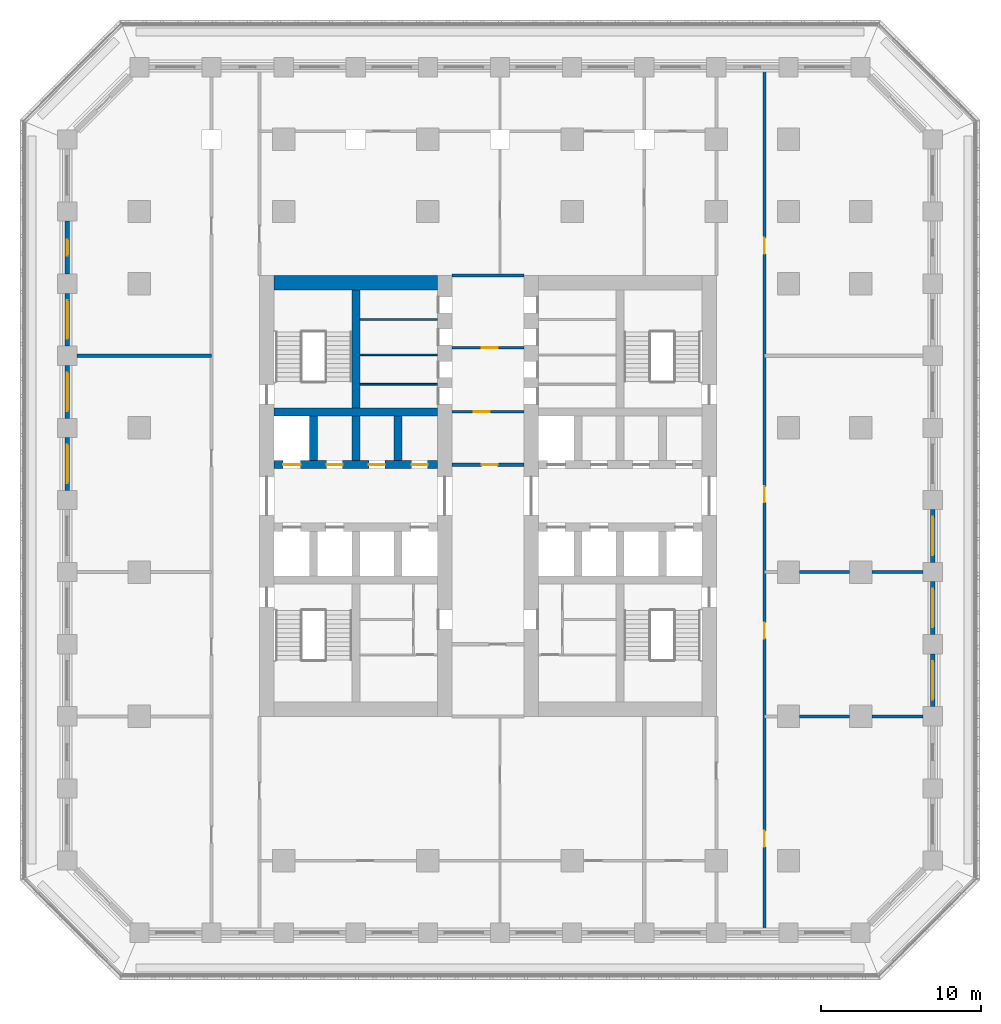
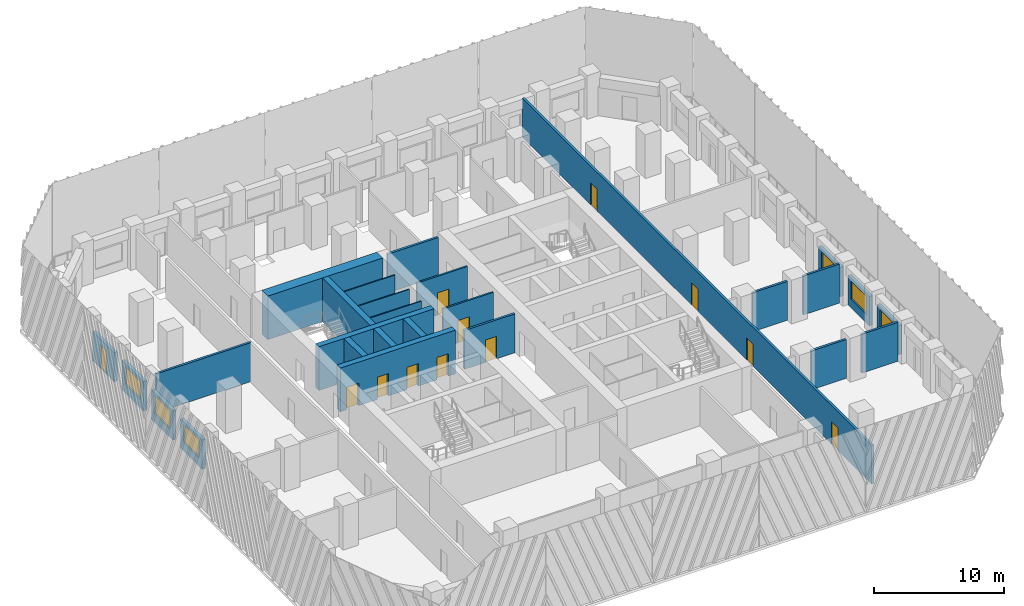
# One storey, part 6 of 19: 27 walls, 12 doors, 6 windows, 18 openings.
"""IFC4 building model written with IfcOpenShell, lengths in metres."""

from ifc_helpers import new_model, si_unit, direction, frame, frame_2d, origin, place, context, subcontext, project, spatial, rectangle, extrude, material, layer, layer_set, type_object, element, fill, save


model = new_model("IFC4")

# Units and contexts
model_context = context("Model", 3, precision=1e-05, world=origin(), true_north=direction((0.0, 1.0)))
body_context = subcontext(model_context, "Body", "Model", "MODEL_VIEW")
ifc_project = project(units=[si_unit("LENGTHUNIT", "METRE"), si_unit("AREAUNIT", "SQUARE_METRE"), si_unit("VOLUMEUNIT", "CUBIC_METRE"), si_unit("PLANEANGLEUNIT", "RADIAN"), si_unit("MASSUNIT", "GRAM", prefix="KILO")], contexts=[model_context])

# Site, building, storey
site_placement = place(None, origin())
site = spatial("IfcSite", under=ifc_project, at=site_placement, CompositionType="ELEMENT")
building_placement = place(site_placement, origin())
building = spatial("IfcBuilding", under=site, at=building_placement, Name="Corbel Stack Research Tower", CompositionType="ELEMENT")
storey_placement = place(building_placement, frame((0.0, 0.0, 82.0)))
storey = spatial("IfcBuildingStorey", under=building, at=storey_placement, Name="L18", CompositionType="ELEMENT", Elevation=82.0)

# Wall, openings, doors
ifc_material_1 = material(Name="Concrete C70/85", Category="concrete")
ifc_layer_1 = layer(ifc_material_1, 0.5)
ifc_layer_set_1 = layer_set([ifc_layer_1], Name="Concrete C70/85")
wall_type_1 = type_object("IfcWallType", Name="CW-500-70", PredefinedType="SHEAR", material=ifc_layer_set_1)
wall_1_placement = place(storey_placement, frame((-9.60009765625, 6.699951171875, 0.0), z_axis=(0.0, 0.0, 1.0), x_axis=(1.0, 0.0, 0.0)))
wall_1 = element("IfcWall", 1, at=wall_1_placement, inside=storey, type_object=wall_type_1, Name="West core wall, lobby north L18", PredefinedType="SHEAR", context=body_context, shape_type="SweptSolid", body=[
    extrude(rectangle(XDim=10.2001953125, YDim=0.5, at=frame_2d((5.10009765625, 0.0))), origin(), (0.0, 0.0, 1.0), 4.10009765625),
])
opening_1_placement = place(wall_1_placement, frame((0.5625, 0.0, 0.0)))
opening_1 = element("IfcOpeningElement", 2, at=opening_1_placement, cuts=wall_1, Name="Opening LD-LR2", PredefinedType="OPENING", context=body_context, shape_type="SweptSolid", body=[
    extrude(rectangle(XDim=1.10009765625, YDim=2.10009765625, at=frame_2d((0.550048828125, 1.050048828125))), frame((0.0, 0.260009765625, 0.0), z_axis=(0.0, -1.0, 0.0), x_axis=(1.0, 0.0, 0.0)), (0.0, 0.0, 1.0), 0.52001953125),
])
opening_2_placement = place(wall_1_placement, frame((3.28759765625, 0.0, 0.0)))
opening_2 = element("IfcOpeningElement", 3, at=opening_2_placement, cuts=wall_1, Name="Opening CR-W66-N2", PredefinedType="OPENING", context=body_context, shape_type="SweptSolid", body=[
    extrude(rectangle(XDim=1.0, YDim=2.10009765625, at=frame_2d((0.5, 1.050048828125))), frame((0.0, 0.260009765625, 0.0), z_axis=(0.0, -1.0, 0.0), x_axis=(1.0, 0.0, 0.0)), (0.0, 0.0, 1.0), 0.52001953125),
])
opening_3_placement = place(wall_1_placement, frame((5.91259765625, 0.0, 0.0)))
opening_3 = element("IfcOpeningElement", 4, at=opening_3_placement, cuts=wall_1, Name="Opening CR-W66-N3", PredefinedType="OPENING", context=body_context, shape_type="SweptSolid", body=[
    extrude(rectangle(XDim=1.0, YDim=2.10009765625, at=frame_2d((0.5, 1.050048828125))), frame((0.0, 0.260009765625, 0.0), z_axis=(0.0, -1.0, 0.0), x_axis=(1.0, 0.0, 0.0)), (0.0, 0.0, 1.0), 0.52001953125),
])
opening_4_placement = place(wall_1_placement, frame((8.58740234375, 0.0, 0.0)))
opening_4 = element("IfcOpeningElement", 5, at=opening_4_placement, cuts=wall_1, Name="Opening CR-W66-N4", PredefinedType="OPENING", context=body_context, shape_type="SweptSolid", body=[
    extrude(rectangle(XDim=1.0, YDim=2.10009765625, at=frame_2d((0.5, 1.050048828125))), frame((0.0, 0.260009765625, 0.0), z_axis=(0.0, -1.0, 0.0), x_axis=(1.0, 0.0, 0.0)), (0.0, 0.0, 1.0), 0.52001953125),
])
ifc_material_2 = material(Name="Stainless steel landing door", Category="steel")
door_type_1 = type_object("IfcDoorType", Name="Lift landing door 1100 x 2100", OperationType="DOUBLE_DOOR_SLIDING", PredefinedType="DOOR", material=ifc_material_2)
door_1_placement = place(opening_1_placement, origin())
door_1 = element("IfcDoor", 6, at=door_1_placement, inside=storey, type_object=door_type_1, Name="Landing door LR2", OperationType="DOUBLE_DOOR_SLIDING", OverallHeight=2.10009765625, OverallWidth=1.10009765625, PredefinedType="DOOR", context=body_context, shape_type="SweptSolid", body=[
    extrude(rectangle(XDim=1.10009765625, YDim=2.10009765625, at=frame_2d((0.550048828125, 1.050048828125))), frame((0.0, 0.02490234375, 0.0), z_axis=(0.0, -1.0, 0.0), x_axis=(1.0, 0.0, 0.0)), (0.0, 0.0, 1.0), 0.050048828125),
])
fill(opening_1, door_1)
ifc_material_3 = material(Name="Painted steel door", Category="steel")
door_type_2 = type_object("IfcDoorType", Name="Service door 1000 x 2100 FD60 left hand", OperationType="SINGLE_SWING_LEFT", PredefinedType="DOOR", material=ifc_material_3)
door_2_placement = place(opening_3_placement, origin())
door_2 = element("IfcDoor", 7, at=door_2_placement, inside=storey, type_object=door_type_2, Name="Records store door W core", OperationType="SINGLE_SWING_LEFT", OverallHeight=2.10009765625, OverallWidth=1.0, PredefinedType="DOOR", context=body_context, shape_type="SweptSolid", body=[
    extrude(rectangle(XDim=1.0, YDim=2.10009765625, at=frame_2d((0.5, 1.050048828125))), frame((0.0, 0.02490234375, 0.0), z_axis=(0.0, -1.0, 0.0), x_axis=(1.0, 0.0, 0.0)), (0.0, 0.0, 1.0), 0.050048828125),
])
fill(opening_3, door_2)
ifc_material_4 = material(Name="Painted steel door", Category="steel")
door_type_3 = type_object("IfcDoorType", Name="Service door 1000 x 2100 FD60 right hand", OperationType="SINGLE_SWING_RIGHT", PredefinedType="DOOR", material=ifc_material_4)
door_3_placement = place(opening_2_placement, origin())
door_3 = element("IfcDoor", 8, at=door_3_placement, inside=storey, type_object=door_type_3, Name="Copy and supply store door W core", OperationType="SINGLE_SWING_RIGHT", OverallHeight=2.10009765625, OverallWidth=1.0, PredefinedType="DOOR", context=body_context, shape_type="SweptSolid", body=[
    extrude(rectangle(XDim=1.0, YDim=2.10009765625, at=frame_2d((0.5, 1.050048828125))), frame((0.0, 0.02490234375, 0.0), z_axis=(0.0, -1.0, 0.0), x_axis=(1.0, 0.0, 0.0)), (0.0, 0.0, 1.0), 0.050048828125),
])
fill(opening_2, door_3)
door_4_placement = place(opening_4_placement, origin())
door_4 = element("IfcDoor", 9, at=door_4_placement, inside=storey, type_object=door_type_3, Name="Electrical room door W core", OperationType="SINGLE_SWING_RIGHT", OverallHeight=2.10009765625, OverallWidth=1.0, PredefinedType="DOOR", context=body_context, shape_type="SweptSolid", body=[
    extrude(rectangle(XDim=1.0, YDim=2.10009765625, at=frame_2d((0.5, 1.050048828125))), frame((0.0, 0.02490234375, 0.0), z_axis=(0.0, -1.0, 0.0), x_axis=(1.0, 0.0, 0.0)), (0.0, 0.0, 1.0), 0.050048828125),
])
fill(opening_4, door_4)

# Walls
wall_2_placement = place(storey_placement, frame((-9.60009765625, 10.0, 0.0), z_axis=(0.0, 0.0, 1.0), x_axis=(1.0, 0.0, 0.0)))
element("IfcWall", 10, at=wall_2_placement, inside=storey, type_object=wall_type_1, Name="West core wall, north row back L18", PredefinedType="SHEAR", context=body_context, shape_type="SweptSolid", body=[
    extrude(rectangle(XDim=10.2001953125, YDim=0.5, at=frame_2d((5.10009765625, 0.0))), origin(), (0.0, 0.0, 1.0), 4.10009765625),
])
for number, where, z_axis, x_axis, name in (
    (11, (-7.125, 6.949951171875, 0.0), (0.0, 0.0, 1.0), (0.0, 1.0, 0.0), "West core wall, north shaft 1 L18"),
    (12, (-4.5, 6.949951171875, 0.0), (0.0, 0.0, 1.0), (0.0, 1.0, 0.0), "West core wall, north shaft 2 L18"),
    (13, (-1.875, 6.949951171875, 0.0), (0.0, 0.0, 1.0), (0.0, 1.0, 0.0), "West core wall, north shaft 3 L18"),
):
    element("IfcWall", number, at=place(storey_placement, frame(where, z_axis=z_axis, x_axis=x_axis)), inside=storey, type_object=wall_type_1, Name=name, PredefinedType="SHEAR", context=body_context, shape_type="SweptSolid", body=[
        extrude(rectangle(XDim=2.800048828125, YDim=0.5, at=frame_2d((1.39990234375, 0.0))), origin(), (0.0, 0.0, 1.0), 4.10009765625),
    ])
wall_3_placement = place(storey_placement, frame((-4.5, 10.25, 0.0), z_axis=(0.0, 0.0, 1.0), x_axis=(0.0, 1.0, 0.0)))
element("IfcWall", 14, at=wall_3_placement, inside=storey, type_object=wall_type_1, Name="West core wall, north stair and riser L18", PredefinedType="SHEAR", context=body_context, shape_type="SweptSolid", body=[
    extrude(rectangle(XDim=7.35009765625, YDim=0.5, at=frame_2d((3.675048828125, 0.0))), origin(), (0.0, 0.0, 1.0), 4.10009765625),
])
ifc_material_5 = material(Name="Concrete C70/85", Category="concrete")
ifc_layer_2 = layer(ifc_material_5, 0.89990234375)
ifc_layer_set_2 = layer_set([ifc_layer_2], Name="Concrete C70/85")
wall_type_2 = type_object("IfcWallType", Name="CW-900-70", PredefinedType="SHEAR", material=ifc_layer_set_2)
wall_4_placement = place(storey_placement, frame((-9.60009765625, 18.050048828125, 0.0), z_axis=(0.0, 0.0, 1.0), x_axis=(1.0, 0.0, 0.0)))
element("IfcWall", 15, at=wall_4_placement, inside=storey, type_object=wall_type_2, Name="West core wall, north end L18", PredefinedType="SHEAR", context=body_context, shape_type="SweptSolid", body=[
    extrude(rectangle(XDim=10.2001953125, YDim=0.89990234375, at=frame_2d((5.10009765625, 0.0))), origin(), (0.0, 0.0, 1.0), 4.10009765625),
])
ifc_material_6 = material(Name="Gypsum board")
ifc_layer_3 = layer(ifc_material_6, 0.10009765625)
ifc_layer_set_3 = layer_set([ifc_layer_3], Name="Gypsum board")
wall_type_3 = type_object("IfcWallType", Name="Core partition 100", PredefinedType="PARTITIONING", material=ifc_layer_set_3)
for number, where, z_axis, x_axis, name in (
    (16, (-4.25, 11.719970703125, 0.0), (0.0, 0.0, 1.0), (1.0, 0.0, 0.0), "Core partition W"),
    (17, (-4.25, 13.5576171875, 0.0), (0.0, 0.0, 1.0), (1.0, 0.0, 0.0), "Core partition W"),
    (18, (-4.25, 15.762451171875, 0.0), (0.0, 0.0, 1.0), (1.0, 0.0, 0.0), "Core partition W"),
):
    element("IfcWall", number, at=place(storey_placement, frame(where, z_axis=z_axis, x_axis=x_axis)), inside=storey, type_object=wall_type_3, Name=name, PredefinedType="PARTITIONING", context=body_context, shape_type="SweptSolid", body=[
        extrude(rectangle(XDim=4.85009765625, YDim=0.10009765625, at=frame_2d((2.425048828125, 0.0))), origin(), (0.0, 0.0, 1.0), 3.64990234375),
    ])

# Wall, openings, doors
ifc_material_7 = material(Name="Fire-rated gypsum board partition on steel studs", Category="steel")
ifc_layer_4 = layer(ifc_material_7, 0.199951171875)
ifc_layer_set_4 = layer_set([ifc_layer_4], Name="Fire-rated gypsum board partition on steel studs")
wall_type_4 = type_object("IfcWallType", Name="Fire-rated partition 200 EI 60", PredefinedType="PARTITIONING", material=ifc_layer_set_4)
wall_5_placement = place(storey_placement, frame((21.0, 31.35009765625, 0.0), z_axis=(0.0, 0.0, 1.0), x_axis=(0.0, -1.0, 0.0)))
wall_5 = element("IfcWall", 19, at=wall_5_placement, inside=storey, type_object=wall_type_4, Name="Partition L18-016", PredefinedType="PARTITIONING", context=body_context, shape_type="SweptSolid", body=[
    extrude(rectangle(XDim=53.7001953125, YDim=0.199951171875, at=frame_2d((26.85009765625, 0.0))), origin(), (0.0, 0.0, 1.0), 3.64990234375),
])
opening_5_placement = place(wall_5_placement, frame((47.5, 0.0, 0.0)))
opening_5 = element("IfcOpeningElement", 20, at=opening_5_placement, cuts=wall_5, Name="Opening B3V0H-018", PredefinedType="OPENING", context=body_context, shape_type="SweptSolid", body=[
    extrude(rectangle(XDim=1.0, YDim=2.10009765625, at=frame_2d((0.5, 1.050048828125))), frame((0.0, 0.10986328125, 0.0), z_axis=(0.0, -1.0, 0.0), x_axis=(1.0, 0.0, 0.0)), (0.0, 0.0, 1.0), 0.219970703125),
])
opening_6_placement = place(wall_5_placement, frame((34.5, 0.0, 0.0)))
opening_6 = element("IfcOpeningElement", 21, at=opening_6_placement, cuts=wall_5, Name="Opening B3V0H-019", PredefinedType="OPENING", context=body_context, shape_type="SweptSolid", body=[
    extrude(rectangle(XDim=1.0, YDim=2.10009765625, at=frame_2d((0.5, 1.050048828125))), frame((0.0, 0.10986328125, 0.0), z_axis=(0.0, -1.0, 0.0), x_axis=(1.0, 0.0, 0.0)), (0.0, 0.0, 1.0), 0.219970703125),
])
opening_7_placement = place(wall_5_placement, frame((26.0, 0.0, 0.0)))
opening_7 = element("IfcOpeningElement", 22, at=opening_7_placement, cuts=wall_5, Name="Opening B3V0H-020", PredefinedType="OPENING", context=body_context, shape_type="SweptSolid", body=[
    extrude(rectangle(XDim=1.0, YDim=2.10009765625, at=frame_2d((0.5, 1.050048828125))), frame((0.0, 0.10986328125, 0.0), z_axis=(0.0, -1.0, 0.0), x_axis=(1.0, 0.0, 0.0)), (0.0, 0.0, 1.0), 0.219970703125),
])
opening_8_placement = place(wall_5_placement, frame((10.5, 0.0, 0.0)))
opening_8 = element("IfcOpeningElement", 23, at=opening_8_placement, cuts=wall_5, Name="Opening B3V0H-021", PredefinedType="OPENING", context=body_context, shape_type="SweptSolid", body=[
    extrude(rectangle(XDim=1.0, YDim=2.10009765625, at=frame_2d((0.5, 1.050048828125))), frame((0.0, 0.10986328125, 0.0), z_axis=(0.0, -1.0, 0.0), x_axis=(1.0, 0.0, 0.0)), (0.0, 0.0, 1.0), 0.219970703125),
])
ifc_material_8 = material(Name="Painted steel fire door", Category="steel")
door_type_4 = type_object("IfcDoorType", Name="Fire door FD30S 1000 x 2100", OperationType="NOTDEFINED", PredefinedType="DOOR", material=ifc_material_8)
door_5_placement = place(opening_5_placement, origin())
door_5 = element("IfcDoor", 24, at=door_5_placement, inside=storey, type_object=door_type_4, Name="Door B3V0H-018", OperationType="SINGLE_SWING_RIGHT", OverallHeight=2.10009765625, OverallWidth=1.0, PredefinedType="DOOR", context=body_context, shape_type="SweptSolid", body=[
    extrude(rectangle(XDim=1.0, YDim=2.10009765625, at=frame_2d((0.5, 1.050048828125))), frame((0.0, 0.02490234375, 0.0), z_axis=(0.0, -1.0, 0.0), x_axis=(1.0, 0.0, 0.0)), (0.0, 0.0, 1.0), 0.050048828125),
])
fill(opening_5, door_5)
door_6_placement = place(opening_6_placement, origin())
door_6 = element("IfcDoor", 25, at=door_6_placement, inside=storey, type_object=door_type_4, Name="Door B3V0H-019", OperationType="SINGLE_SWING_RIGHT", OverallHeight=2.10009765625, OverallWidth=1.0, PredefinedType="DOOR", context=body_context, shape_type="SweptSolid", body=[
    extrude(rectangle(XDim=1.0, YDim=2.10009765625, at=frame_2d((0.5, 1.050048828125))), frame((0.0, 0.02490234375, 0.0), z_axis=(0.0, -1.0, 0.0), x_axis=(1.0, 0.0, 0.0)), (0.0, 0.0, 1.0), 0.050048828125),
])
fill(opening_6, door_6)
door_7_placement = place(opening_7_placement, origin())
door_7 = element("IfcDoor", 26, at=door_7_placement, inside=storey, type_object=door_type_4, Name="Door B3V0H-020", OperationType="SINGLE_SWING_LEFT", OverallHeight=2.10009765625, OverallWidth=1.0, PredefinedType="DOOR", context=body_context, shape_type="SweptSolid", body=[
    extrude(rectangle(XDim=1.0, YDim=2.10009765625, at=frame_2d((0.5, 1.050048828125))), frame((0.0, 0.02490234375, 0.0), z_axis=(0.0, -1.0, 0.0), x_axis=(1.0, 0.0, 0.0)), (0.0, 0.0, 1.0), 0.050048828125),
])
fill(opening_7, door_7)
door_8_placement = place(opening_8_placement, origin())
door_8 = element("IfcDoor", 27, at=door_8_placement, inside=storey, type_object=door_type_4, Name="Door B3V0H-021", OperationType="SINGLE_SWING_LEFT", OverallHeight=2.10009765625, OverallWidth=1.0, PredefinedType="DOOR", context=body_context, shape_type="SweptSolid", body=[
    extrude(rectangle(XDim=1.0, YDim=2.10009765625, at=frame_2d((0.5, 1.050048828125))), frame((0.0, 0.02490234375, 0.0), z_axis=(0.0, -1.0, 0.0), x_axis=(1.0, 0.0, 0.0)), (0.0, 0.0, 1.0), 0.050048828125),
])
fill(opening_8, door_8)

# Walls
wall_6_placement = place(storey_placement, frame((23.199951171875, -9.0, 0.0), z_axis=(0.0, 0.0, 1.0), x_axis=(1.0, 0.0, 0.0)))
element("IfcWall", 28, at=wall_6_placement, inside=storey, type_object=wall_type_4, Name="Partition L18-025", PredefinedType="PARTITIONING", context=body_context, shape_type="SweptSolid", body=[
    extrude(rectangle(XDim=3.10009765625, YDim=0.199951171875, at=frame_2d((1.550048828125, 0.0))), origin(), (0.0, 0.0, 1.0), 3.64990234375),
])
wall_7_placement = place(storey_placement, frame((27.699951171875, -9.0, 0.0), z_axis=(0.0, 0.0, 1.0), x_axis=(1.0, 0.0, 0.0)))
element("IfcWall", 29, at=wall_7_placement, inside=storey, type_object=wall_type_4, Name="Partition L18-026", PredefinedType="PARTITIONING", context=body_context, shape_type="SweptSolid", body=[
    extrude(rectangle(XDim=3.199951171875, YDim=0.199951171875, at=frame_2d((1.60009765625, 0.0))), origin(), (0.0, 0.0, 1.0), 3.64990234375),
])
wall_8_placement = place(storey_placement, frame((23.199951171875, 0.0, 0.0), z_axis=(0.0, 0.0, 1.0), x_axis=(1.0, 0.0, 0.0)))
element("IfcWall", 30, at=wall_8_placement, inside=storey, type_object=wall_type_4, Name="Partition L18-031", PredefinedType="PARTITIONING", context=body_context, shape_type="SweptSolid", body=[
    extrude(rectangle(XDim=3.10009765625, YDim=0.199951171875, at=frame_2d((1.550048828125, 0.0))), origin(), (0.0, 0.0, 1.0), 3.64990234375),
])
wall_9_placement = place(storey_placement, frame((27.699951171875, 0.0, 0.0), z_axis=(0.0, 0.0, 1.0), x_axis=(1.0, 0.0, 0.0)))
element("IfcWall", 31, at=wall_9_placement, inside=storey, type_object=wall_type_4, Name="Partition L18-032", PredefinedType="PARTITIONING", context=body_context, shape_type="SweptSolid", body=[
    extrude(rectangle(XDim=3.199951171875, YDim=0.199951171875, at=frame_2d((1.60009765625, 0.0))), origin(), (0.0, 0.0, 1.0), 3.64990234375),
])

# Wall, opening, door
wall_10_placement = place(storey_placement, frame((1.5, 6.699951171875, 0.0), z_axis=(0.0, 0.0, 1.0), x_axis=(1.0, 0.0, 0.0)))
wall_10 = element("IfcWall", 32, at=wall_10_placement, inside=storey, type_object=wall_type_4, Name="Partition L18-033", PredefinedType="PARTITIONING", context=body_context, shape_type="SweptSolid", body=[
    extrude(rectangle(XDim=4.5, YDim=0.199951171875, at=frame_2d((2.25, 0.0))), origin(), (0.0, 0.0, 1.0), 3.64990234375),
])
opening_9_placement = place(wall_10_placement, frame((1.85009765625, 0.0, 0.0)))
opening_9 = element("IfcOpeningElement", 33, at=opening_9_placement, cuts=wall_10, Name="Opening B3V0H-013", PredefinedType="OPENING", context=body_context, shape_type="SweptSolid", body=[
    extrude(rectangle(XDim=1.0, YDim=2.10009765625, at=frame_2d((0.5, 1.050048828125))), frame((0.0, 0.10986328125, 0.0), z_axis=(0.0, -1.0, 0.0), x_axis=(1.0, 0.0, 0.0)), (0.0, 0.0, 1.0), 0.219970703125),
])
door_9_placement = place(opening_9_placement, origin())
door_9 = element("IfcDoor", 34, at=door_9_placement, inside=storey, type_object=door_type_4, Name="Door B3V0H-013", OperationType="SINGLE_SWING_RIGHT", OverallHeight=2.10009765625, OverallWidth=1.0, PredefinedType="DOOR", context=body_context, shape_type="SweptSolid", body=[
    extrude(rectangle(XDim=1.0, YDim=2.10009765625, at=frame_2d((0.5, 1.050048828125))), frame((0.0, 0.02490234375, 0.0), z_axis=(0.0, -1.0, 0.0), x_axis=(1.0, 0.0, 0.0)), (0.0, 0.0, 1.0), 0.050048828125),
])
fill(opening_9, door_9)

# Walls
wall_11_placement = place(storey_placement, frame((-21.89990234375, 13.5, 0.0), z_axis=(0.0, 0.0, 1.0), x_axis=(1.0, 0.0, 0.0)))
element("IfcWall", 35, at=wall_11_placement, inside=storey, type_object=wall_type_4, Name="Partition L18-035", PredefinedType="PARTITIONING", context=body_context, shape_type="SweptSolid", body=[
    extrude(rectangle(XDim=8.39990234375, YDim=0.199951171875, at=frame_2d((4.199951171875, 0.0))), origin(), (0.0, 0.0, 1.0), 3.64990234375),
])
wall_12_placement = place(storey_placement, frame((1.5, 18.5, 0.0), z_axis=(0.0, 0.0, 1.0), x_axis=(1.0, 0.0, 0.0)))
element("IfcWall", 36, at=wall_12_placement, inside=storey, type_object=wall_type_4, Name="Partition L18-038", PredefinedType="PARTITIONING", context=body_context, shape_type="SweptSolid", body=[
    extrude(rectangle(XDim=4.5, YDim=0.199951171875, at=frame_2d((2.25, 0.0))), origin(), (0.0, 0.0, 1.0), 3.64990234375),
])

# Wall, opening, door
ifc_material_9 = material(Name="Gypsum board partition on steel studs", Category="steel")
ifc_layer_5 = layer(ifc_material_9, 0.14990234375)
ifc_layer_set_5 = layer_set([ifc_layer_5], Name="Gypsum board partition on steel studs")
wall_type_5 = type_object("IfcWallType", Name="Partition 150", PredefinedType="PARTITIONING", material=ifc_layer_set_5)
wall_13_placement = place(storey_placement, frame((1.5, 10.0, 0.0), z_axis=(0.0, 0.0, 1.0), x_axis=(1.0, 0.0, 0.0)))
wall_13 = element("IfcWall", 37, at=wall_13_placement, inside=storey, type_object=wall_type_5, Name="Partition L18-034", PredefinedType="PARTITIONING", context=body_context, shape_type="SweptSolid", body=[
    extrude(rectangle(XDim=4.5, YDim=0.14990234375, at=frame_2d((2.25, 0.0))), origin(), (0.0, 0.0, 1.0), 3.64990234375),
])
opening_10_placement = place(wall_13_placement, frame((1.35009765625, 0.0, 0.0)))
opening_10 = element("IfcOpeningElement", 38, at=opening_10_placement, cuts=wall_13, Name="Opening B3V0H-014", PredefinedType="OPENING", context=body_context, shape_type="SweptSolid", body=[
    extrude(rectangle(XDim=1.0, YDim=2.10009765625, at=frame_2d((0.5, 1.050048828125))), frame((0.0, 0.0849609375, 0.0), z_axis=(0.0, -1.0, 0.0), x_axis=(1.0, 0.0, 0.0)), (0.0, 0.0, 1.0), 0.169921875),
])
ifc_material_10 = material(Name="Painted timber door", Category="wood")
door_type_5 = type_object("IfcDoorType", Name="Single door 1000 x 2100", OperationType="NOTDEFINED", PredefinedType="DOOR", material=ifc_material_10)
door_10_placement = place(opening_10_placement, origin())
door_10 = element("IfcDoor", 39, at=door_10_placement, inside=storey, type_object=door_type_5, Name="Door B3V0H-014", OperationType="SINGLE_SWING_LEFT", OverallHeight=2.10009765625, OverallWidth=1.0, PredefinedType="DOOR", context=body_context, shape_type="SweptSolid", body=[
    extrude(rectangle(XDim=1.0, YDim=2.10009765625, at=frame_2d((0.5, 1.050048828125))), frame((0.0, 0.02490234375, 0.0), z_axis=(0.0, -1.0, 0.0), x_axis=(1.0, 0.0, 0.0)), (0.0, 0.0, 1.0), 0.050048828125),
])
fill(opening_10, door_10)

wall_14_placement = place(storey_placement, frame((1.5, 14.0, 0.0), z_axis=(0.0, 0.0, 1.0), x_axis=(1.0, 0.0, 0.0)))
wall_14 = element("IfcWall", 40, at=wall_14_placement, inside=storey, type_object=wall_type_5, Name="Partition L18-037", PredefinedType="PARTITIONING", context=body_context, shape_type="SweptSolid", body=[
    extrude(rectangle(XDim=4.5, YDim=0.14990234375, at=frame_2d((2.25, 0.0))), origin(), (0.0, 0.0, 1.0), 3.64990234375),
])
opening_11_placement = place(wall_14_placement, frame((1.85009765625, 0.0, 0.0)))
opening_11 = element("IfcOpeningElement", 41, at=opening_11_placement, cuts=wall_14, Name="Opening B3V0H-016", PredefinedType="OPENING", context=body_context, shape_type="SweptSolid", body=[
    extrude(rectangle(XDim=1.0, YDim=2.10009765625, at=frame_2d((0.5, 1.050048828125))), frame((0.0, 0.0849609375, 0.0), z_axis=(0.0, -1.0, 0.0), x_axis=(1.0, 0.0, 0.0)), (0.0, 0.0, 1.0), 0.169921875),
])
door_11_placement = place(opening_11_placement, origin())
door_11 = element("IfcDoor", 42, at=door_11_placement, inside=storey, type_object=door_type_5, Name="Door B3V0H-016", OperationType="SINGLE_SWING_RIGHT", OverallHeight=2.10009765625, OverallWidth=1.0, PredefinedType="DOOR", context=body_context, shape_type="SweptSolid", body=[
    extrude(rectangle(XDim=1.0, YDim=2.10009765625, at=frame_2d((0.5, 1.050048828125))), frame((0.0, 0.02490234375, 0.0), z_axis=(0.0, -1.0, 0.0), x_axis=(1.0, 0.0, 0.0)), (0.0, 0.0, 1.0), 0.050048828125),
])
fill(opening_11, door_11)

# Wall, opening, window
ifc_material_11 = material(Name="Concrete C45/55", Category="concrete")
ifc_layer_6 = layer(ifc_material_11, 0.300048828125)
ifc_layer_set_6 = layer_set([ifc_layer_6], Name="Concrete C45/55")
wall_type_6 = type_object("IfcWallType", Name="Terracotta-faced concrete wall 300", PredefinedType="SOLIDWALL", material=ifc_layer_set_6)
wall_15_placement = place(storey_placement, frame((31.5, -5.10009765625, 0.0), z_axis=(0.0, 0.0, 1.0), x_axis=(0.0, -1.0, 0.0)))
wall_15 = element("IfcWall", 43, at=wall_15_placement, inside=storey, type_object=wall_type_6, Name="Facade wall L18 E03", PredefinedType="SOLIDWALL", context=body_context, shape_type="SweptSolid", body=[
    extrude(rectangle(XDim=3.2998046875, YDim=0.300048828125, at=frame_2d((1.64990234375, 0.0))), origin(), (0.0, 0.0, 1.0), 2.75),
])
opening_12_placement = place(wall_15_placement, frame((0.449951171875, 0.0, 0.800048828125)))
opening_12 = element("IfcOpeningElement", 44, at=opening_12_placement, cuts=wall_15, Name="Opening W1", PredefinedType="OPENING", context=body_context, shape_type="SweptSolid", body=[
    extrude(rectangle(XDim=2.39990234375, YDim=1.699951171875, at=frame_2d((1.199951171875, 0.85009765625))), frame((0.0, 0.159912109375, 0.0), z_axis=(0.0, -1.0, 0.0), x_axis=(1.0, 0.0, 0.0)), (0.0, 0.0, 1.0), 0.320068359375),
])
ifc_material_12 = material(Name="Aluminium frame, clear double glazing", Category="aluminium")
window_type = type_object("IfcWindowType", Name="Window W1 2400 x 1700", PartitioningType="SINGLE_PANEL", PredefinedType="WINDOW", material=ifc_material_12)
window_1_placement = place(opening_12_placement, origin())
window_1 = element("IfcWindow", 45, at=window_1_placement, inside=storey, type_object=window_type, Name="Window W1 L18 E03", OverallHeight=1.699951171875, OverallWidth=2.39990234375, PartitioningType="SINGLE_PANEL", PredefinedType="WINDOW", context=body_context, shape_type="SweptSolid", body=[
    extrude(rectangle(XDim=2.39990234375, YDim=1.699951171875, at=frame_2d((1.199951171875, 0.85009765625))), frame((0.0, 0.030029296875, 0.0), z_axis=(0.0, -1.0, 0.0), x_axis=(1.0, 0.0, 0.0)), (0.0, 0.0, 1.0), 0.06005859375),
])
fill(opening_12, window_1)

wall_16_placement = place(storey_placement, frame((31.5, -0.60009765625, 0.0), z_axis=(0.0, 0.0, 1.0), x_axis=(0.0, -1.0, 0.0)))
wall_16 = element("IfcWall", 46, at=wall_16_placement, inside=storey, type_object=wall_type_6, Name="Facade wall L18 E04", PredefinedType="SOLIDWALL", context=body_context, shape_type="SweptSolid", body=[
    extrude(rectangle(XDim=3.2998046875, YDim=0.300048828125, at=frame_2d((1.64990234375, 0.0))), origin(), (0.0, 0.0, 1.0), 2.75),
])
opening_13_placement = place(wall_16_placement, frame((0.449951171875, 0.0, 0.800048828125)))
opening_13 = element("IfcOpeningElement", 47, at=opening_13_placement, cuts=wall_16, Name="Opening W1", PredefinedType="OPENING", context=body_context, shape_type="SweptSolid", body=[
    extrude(rectangle(XDim=2.39990234375, YDim=1.699951171875, at=frame_2d((1.199951171875, 0.85009765625))), frame((0.0, 0.159912109375, 0.0), z_axis=(0.0, -1.0, 0.0), x_axis=(1.0, 0.0, 0.0)), (0.0, 0.0, 1.0), 0.320068359375),
])
window_2_placement = place(opening_13_placement, origin())
window_2 = element("IfcWindow", 48, at=window_2_placement, inside=storey, type_object=window_type, Name="Window W1 L18 E04", OverallHeight=1.699951171875, OverallWidth=2.39990234375, PartitioningType="SINGLE_PANEL", PredefinedType="WINDOW", context=body_context, shape_type="SweptSolid", body=[
    extrude(rectangle(XDim=2.39990234375, YDim=1.699951171875, at=frame_2d((1.199951171875, 0.85009765625))), frame((0.0, 0.030029296875, 0.0), z_axis=(0.0, -1.0, 0.0), x_axis=(1.0, 0.0, 0.0)), (0.0, 0.0, 1.0), 0.06005859375),
])
fill(opening_13, window_2)

wall_17_placement = place(storey_placement, frame((31.5, 3.89990234375, 0.0), z_axis=(0.0, 0.0, 1.0), x_axis=(0.0, -1.0, 0.0)))
wall_17 = element("IfcWall", 49, at=wall_17_placement, inside=storey, type_object=wall_type_6, Name="Facade wall L18 E05", PredefinedType="SOLIDWALL", context=body_context, shape_type="SweptSolid", body=[
    extrude(rectangle(XDim=3.2998046875, YDim=0.300048828125, at=frame_2d((1.64990234375, 0.0))), origin(), (0.0, 0.0, 1.0), 2.75),
])
opening_14_placement = place(wall_17_placement, frame((0.449951171875, 0.0, 0.800048828125)))
opening_14 = element("IfcOpeningElement", 50, at=opening_14_placement, cuts=wall_17, Name="Opening W1", PredefinedType="OPENING", context=body_context, shape_type="SweptSolid", body=[
    extrude(rectangle(XDim=2.39990234375, YDim=1.699951171875, at=frame_2d((1.199951171875, 0.85009765625))), frame((0.0, 0.159912109375, 0.0), z_axis=(0.0, -1.0, 0.0), x_axis=(1.0, 0.0, 0.0)), (0.0, 0.0, 1.0), 0.320068359375),
])
window_3_placement = place(opening_14_placement, origin())
window_3 = element("IfcWindow", 51, at=window_3_placement, inside=storey, type_object=window_type, Name="Window W1 L18 E05", OverallHeight=1.699951171875, OverallWidth=2.39990234375, PartitioningType="SINGLE_PANEL", PredefinedType="WINDOW", context=body_context, shape_type="SweptSolid", body=[
    extrude(rectangle(XDim=2.39990234375, YDim=1.699951171875, at=frame_2d((1.199951171875, 0.85009765625))), frame((0.0, 0.030029296875, 0.0), z_axis=(0.0, -1.0, 0.0), x_axis=(1.0, 0.0, 0.0)), (0.0, 0.0, 1.0), 0.06005859375),
])
fill(opening_14, window_3)

# Wall, opening, door
wall_18_placement = place(storey_placement, frame((-22.5, 18.60009765625, 0.0), z_axis=(0.0, 0.0, 1.0), x_axis=(0.0, 1.0, 0.0)))
wall_18 = element("IfcWall", 52, at=wall_18_placement, inside=storey, type_object=wall_type_6, Name="Facade wall L18 W02", PredefinedType="SOLIDWALL", context=body_context, shape_type="SweptSolid", body=[
    extrude(rectangle(XDim=3.2998046875, YDim=0.300048828125, at=frame_2d((1.64990234375, 0.0))), origin(), (0.0, 0.0, 1.0), 2.75),
])
opening_15_placement = place(wall_18_placement, frame((1.14990234375, 0.0, 0.0)))
opening_15 = element("IfcOpeningElement", 53, at=opening_15_placement, cuts=wall_18, Name="Opening L18-B10", PredefinedType="OPENING", context=body_context, shape_type="SweptSolid", body=[
    extrude(rectangle(XDim=1.0, YDim=2.199951171875, at=frame_2d((0.5, 1.10009765625))), frame((0.0, 0.159912109375, 0.0), z_axis=(0.0, -1.0, 0.0), x_axis=(1.0, 0.0, 0.0)), (0.0, 0.0, 1.0), 0.320068359375),
])
ifc_material_13 = material(Name="Aluminium frame, clear double glazing", Category="aluminium")
door_type_6 = type_object("IfcDoorType", Name="Balcony door BD1 1000 x 2200", OperationType="NOTDEFINED", PredefinedType="DOOR", material=ifc_material_13)
door_12_placement = place(opening_15_placement, origin())
door_12 = element("IfcDoor", 54, at=door_12_placement, inside=storey, type_object=door_type_6, Name="Balcony door L18-B10", OperationType="SINGLE_SWING_RIGHT", OverallHeight=2.199951171875, OverallWidth=1.0, PredefinedType="DOOR", context=body_context, shape_type="SweptSolid", body=[
    extrude(rectangle(XDim=1.0, YDim=2.199951171875, at=frame_2d((0.5, 1.10009765625))), frame((0.0, 0.02490234375, 0.0), z_axis=(0.0, -1.0, 0.0), x_axis=(1.0, 0.0, 0.0)), (0.0, 0.0, 1.0), 0.050048828125),
])
fill(opening_15, door_12)

# Wall, opening, window
wall_19_placement = place(storey_placement, frame((-22.5, 14.10009765625, 0.0), z_axis=(0.0, 0.0, 1.0), x_axis=(0.0, 1.0, 0.0)))
wall_19 = element("IfcWall", 55, at=wall_19_placement, inside=storey, type_object=wall_type_6, Name="Facade wall L18 W03", PredefinedType="SOLIDWALL", context=body_context, shape_type="SweptSolid", body=[
    extrude(rectangle(XDim=3.2998046875, YDim=0.300048828125, at=frame_2d((1.64990234375, 0.0))), origin(), (0.0, 0.0, 1.0), 2.75),
])
opening_16_placement = place(wall_19_placement, frame((0.449951171875, 0.0, 0.800048828125)))
opening_16 = element("IfcOpeningElement", 56, at=opening_16_placement, cuts=wall_19, Name="Opening W1", PredefinedType="OPENING", context=body_context, shape_type="SweptSolid", body=[
    extrude(rectangle(XDim=2.39990234375, YDim=1.699951171875, at=frame_2d((1.199951171875, 0.85009765625))), frame((0.0, 0.159912109375, 0.0), z_axis=(0.0, -1.0, 0.0), x_axis=(1.0, 0.0, 0.0)), (0.0, 0.0, 1.0), 0.320068359375),
])
window_4_placement = place(opening_16_placement, origin())
window_4 = element("IfcWindow", 57, at=window_4_placement, inside=storey, type_object=window_type, Name="Window W1 L18 W03", OverallHeight=1.699951171875, OverallWidth=2.39990234375, PartitioningType="SINGLE_PANEL", PredefinedType="WINDOW", context=body_context, shape_type="SweptSolid", body=[
    extrude(rectangle(XDim=2.39990234375, YDim=1.699951171875, at=frame_2d((1.199951171875, 0.85009765625))), frame((0.0, 0.030029296875, 0.0), z_axis=(0.0, -1.0, 0.0), x_axis=(1.0, 0.0, 0.0)), (0.0, 0.0, 1.0), 0.06005859375),
])
fill(opening_16, window_4)

wall_20_placement = place(storey_placement, frame((-22.5, 9.60009765625, 0.0), z_axis=(0.0, 0.0, 1.0), x_axis=(0.0, 1.0, 0.0)))
wall_20 = element("IfcWall", 58, at=wall_20_placement, inside=storey, type_object=wall_type_6, Name="Facade wall L18 W04", PredefinedType="SOLIDWALL", context=body_context, shape_type="SweptSolid", body=[
    extrude(rectangle(XDim=3.2998046875, YDim=0.300048828125, at=frame_2d((1.64990234375, 0.0))), origin(), (0.0, 0.0, 1.0), 2.75),
])
opening_17_placement = place(wall_20_placement, frame((0.449951171875, 0.0, 0.800048828125)))
opening_17 = element("IfcOpeningElement", 59, at=opening_17_placement, cuts=wall_20, Name="Opening W1", PredefinedType="OPENING", context=body_context, shape_type="SweptSolid", body=[
    extrude(rectangle(XDim=2.39990234375, YDim=1.699951171875, at=frame_2d((1.199951171875, 0.85009765625))), frame((0.0, 0.159912109375, 0.0), z_axis=(0.0, -1.0, 0.0), x_axis=(1.0, 0.0, 0.0)), (0.0, 0.0, 1.0), 0.320068359375),
])
window_5_placement = place(opening_17_placement, origin())
window_5 = element("IfcWindow", 60, at=window_5_placement, inside=storey, type_object=window_type, Name="Window W1 L18 W04", OverallHeight=1.699951171875, OverallWidth=2.39990234375, PartitioningType="SINGLE_PANEL", PredefinedType="WINDOW", context=body_context, shape_type="SweptSolid", body=[
    extrude(rectangle(XDim=2.39990234375, YDim=1.699951171875, at=frame_2d((1.199951171875, 0.85009765625))), frame((0.0, 0.030029296875, 0.0), z_axis=(0.0, -1.0, 0.0), x_axis=(1.0, 0.0, 0.0)), (0.0, 0.0, 1.0), 0.06005859375),
])
fill(opening_17, window_5)

wall_21_placement = place(storey_placement, frame((-22.5, 5.10009765625, 0.0), z_axis=(0.0, 0.0, 1.0), x_axis=(0.0, 1.0, 0.0)))
wall_21 = element("IfcWall", 61, at=wall_21_placement, inside=storey, type_object=wall_type_6, Name="Facade wall L18 W05", PredefinedType="SOLIDWALL", context=body_context, shape_type="SweptSolid", body=[
    extrude(rectangle(XDim=3.2998046875, YDim=0.300048828125, at=frame_2d((1.64990234375, 0.0))), origin(), (0.0, 0.0, 1.0), 2.75),
])
opening_18_placement = place(wall_21_placement, frame((0.449951171875, 0.0, 0.800048828125)))
opening_18 = element("IfcOpeningElement", 62, at=opening_18_placement, cuts=wall_21, Name="Opening W1", PredefinedType="OPENING", context=body_context, shape_type="SweptSolid", body=[
    extrude(rectangle(XDim=2.39990234375, YDim=1.699951171875, at=frame_2d((1.199951171875, 0.85009765625))), frame((0.0, 0.159912109375, 0.0), z_axis=(0.0, -1.0, 0.0), x_axis=(1.0, 0.0, 0.0)), (0.0, 0.0, 1.0), 0.320068359375),
])
window_6_placement = place(opening_18_placement, origin())
window_6 = element("IfcWindow", 63, at=window_6_placement, inside=storey, type_object=window_type, Name="Window W1 L18 W05", OverallHeight=1.699951171875, OverallWidth=2.39990234375, PartitioningType="SINGLE_PANEL", PredefinedType="WINDOW", context=body_context, shape_type="SweptSolid", body=[
    extrude(rectangle(XDim=2.39990234375, YDim=1.699951171875, at=frame_2d((1.199951171875, 0.85009765625))), frame((0.0, 0.030029296875, 0.0), z_axis=(0.0, -1.0, 0.0), x_axis=(1.0, 0.0, 0.0)), (0.0, 0.0, 1.0), 0.06005859375),
])
fill(opening_18, window_6)

save(model, "model.ifc")
